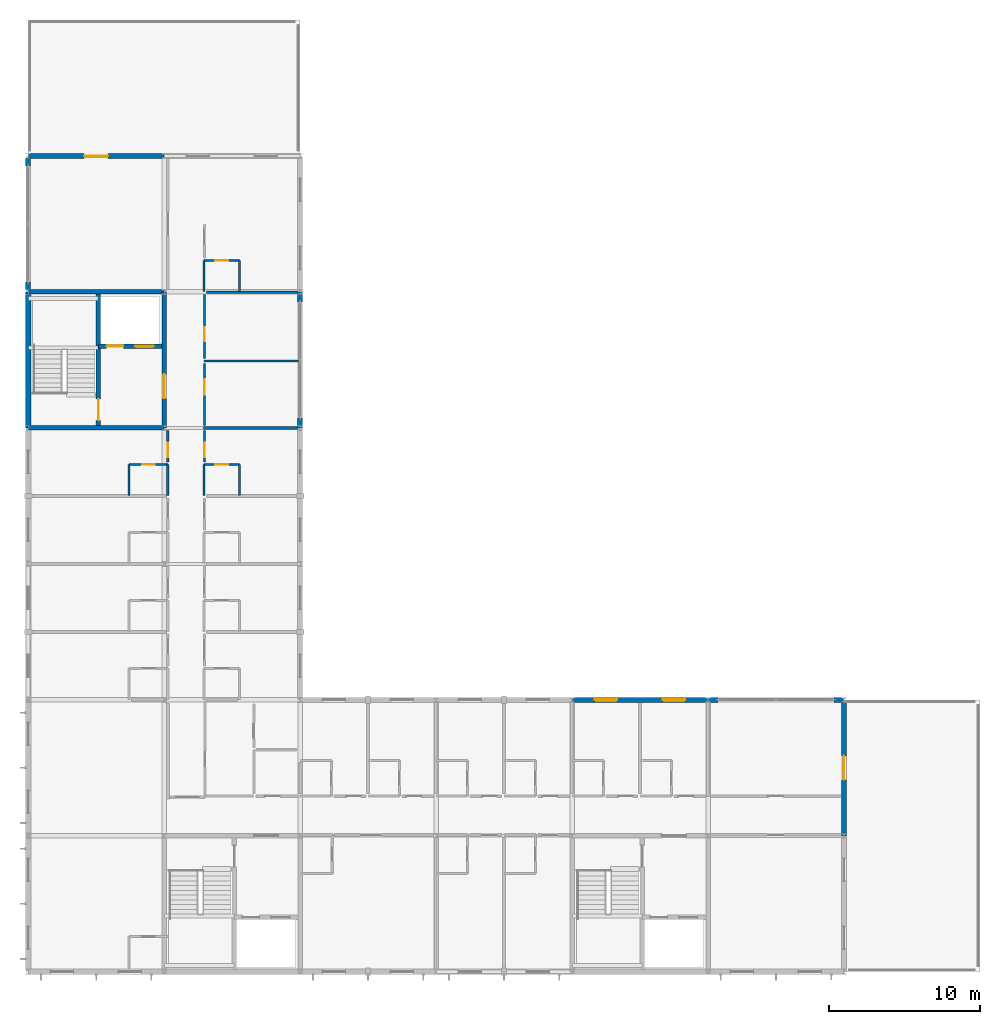
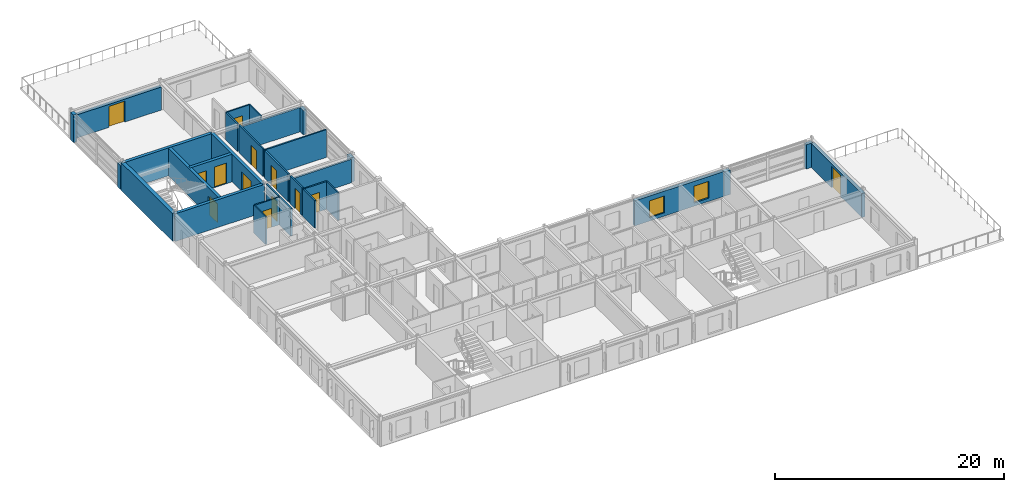
# One storey, part 13 of 18: 31 walls, 13 doors, 2 windows, 15 openings.
"""IFC4 building model written with IfcOpenShell, lengths in metres."""

from ifc_helpers import new_model, si_unit, direction, frame, frame_2d, origin, place, context, subcontext, project, spatial, rectangle, extrude, material, layer, layer_set, type_object, element, fill, save


model = new_model("IFC4")

# Units and contexts
model_context = context("Model", 3, precision=1e-05, world=origin(), true_north=direction((0.0, 1.0)))
body_context = subcontext(model_context, "Body", "Model", "MODEL_VIEW")
ifc_project = project(units=[si_unit("LENGTHUNIT", "METRE"), si_unit("AREAUNIT", "SQUARE_METRE"), si_unit("VOLUMEUNIT", "CUBIC_METRE"), si_unit("PLANEANGLEUNIT", "RADIAN"), si_unit("MASSUNIT", "GRAM", prefix="KILO")], contexts=[model_context])

# Site, building, storey
site_placement = place(None, origin())
site = spatial("IfcSite", under=ifc_project, at=site_placement, CompositionType="ELEMENT")
building_placement = place(site_placement, origin())
building = spatial("IfcBuilding", under=site, at=building_placement, Name="Palais des Congres Ocreval", CompositionType="ELEMENT")
storey_placement = place(building_placement, frame((0.0, 0.0, 23.679931640625)))
storey = spatial("IfcBuildingStorey", under=building, at=storey_placement, Name="L07", CompositionType="ELEMENT", Elevation=23.679931640625)

# Wall, opening, door
ifc_material_1 = material(Name="Moisture-resistant gypsum board")
ifc_layer_1 = layer(ifc_material_1, 0.139892578125)
ifc_layer_set_1 = layer_set([ifc_layer_1], Name="Bathroom Plumbing Chase Wall 140 Gypsum (Moisture-resistant gypsum board)")
wall_type_1 = type_object("IfcWallType", Name="Bathroom Plumbing Chase Wall 140 Gypsum", PredefinedType="PLUMBINGWALL", material=ifc_layer_set_1)
wall_1_placement = place(storey_placement, frame((6.679931640625, 33.580078125, 0.0), z_axis=(0.0, 0.0, 1.0), x_axis=(1.0, 0.0, 0.0)))
wall_1 = element("IfcWall", 1, at=wall_1_placement, inside=storey, type_object=wall_type_1, Name="Bathroom Plumbing Wall PW03 L07", PredefinedType="PLUMBINGWALL", context=body_context, shape_type="SweptSolid", body=[
    extrude(rectangle(XDim=2.56005859375, YDim=0.139892578125, at=frame_2d((1.280029296875, 0.0))), origin(), (0.0, 0.0, 1.0), 2.9599609375),
])
opening_1_placement = place(wall_1_placement, frame((0.85498046875, 0.0, 0.0)))
opening_1 = element("IfcOpeningElement", 2, at=opening_1_placement, cuts=wall_1, Name="Opening D08", PredefinedType="OPENING", context=body_context, shape_type="SweptSolid", body=[
    extrude(rectangle(XDim=0.85009765625, YDim=2.0400390625, at=frame_2d((0.425048828125, 1.02001953125))), frame((0.0, 0.079833984375, 0.0), z_axis=(0.0, -1.0, 0.0), x_axis=(1.0, 0.0, 0.0)), (0.0, 0.0, 1.0), 0.159912109375),
])
ifc_material_2 = material(Name="Solid French oak", Category="wood")
door_type_1 = type_object("IfcDoorType", Name="En-Suite Bathroom Door 850x2040", OperationType="NOTDEFINED", PredefinedType="DOOR", material=ifc_material_2)
door_1_placement = place(opening_1_placement, origin())
door_1 = element("IfcDoor", 3, at=door_1_placement, inside=storey, type_object=door_type_1, Name="En-Suite Bathroom Door D08 L07", OperationType="SINGLE_SWING_RIGHT", OverallHeight=2.0400390625, OverallWidth=0.85009765625, PredefinedType="DOOR", context=body_context, shape_type="SweptSolid", body=[
    extrude(rectangle(XDim=0.85009765625, YDim=2.0400390625, at=frame_2d((0.425048828125, 1.02001953125))), frame((0.0, 0.02490234375, 0.0), z_axis=(0.0, -1.0, 0.0), x_axis=(1.0, 0.0, 0.0)), (0.0, 0.0, 1.0), 0.050048828125),
])
fill(opening_1, door_1)

# Wall
wall_2_placement = place(storey_placement, frame((6.679931640625, 31.52001953125, 0.0), z_axis=(0.0, 0.0, 1.0), x_axis=(0.0, 1.0, 0.0)))
element("IfcWall", 4, at=wall_2_placement, inside=storey, type_object=wall_type_1, Name="Bathroom Plumbing Wall PW03 L07", PredefinedType="PLUMBINGWALL", context=body_context, shape_type="SweptSolid", body=[
    extrude(rectangle(XDim=2.06005859375, YDim=0.139892578125, at=frame_2d((1.030029296875, 0.0))), origin(), (0.0, 0.0, 1.0), 2.9599609375),
])

# Wall, opening, door
wall_3_placement = place(storey_placement, frame((11.639892578125, 33.580078125, 0.0), z_axis=(0.0, 0.0, 1.0), x_axis=(1.0, 0.0, 0.0)))
wall_3 = element("IfcWall", 5, at=wall_3_placement, inside=storey, type_object=wall_type_1, Name="Bathroom Plumbing Wall PW03 L07", PredefinedType="PLUMBINGWALL", context=body_context, shape_type="SweptSolid", body=[
    extrude(rectangle(XDim=2.360107421875, YDim=0.139892578125, at=frame_2d((1.18017578125, 0.0))), origin(), (0.0, 0.0, 1.0), 2.9599609375),
])
opening_2_placement = place(wall_3_placement, frame((0.7548828125, 0.0, 0.0)))
opening_2 = element("IfcOpeningElement", 6, at=opening_2_placement, cuts=wall_3, Name="Opening D08", PredefinedType="OPENING", context=body_context, shape_type="SweptSolid", body=[
    extrude(rectangle(XDim=0.85009765625, YDim=2.0400390625, at=frame_2d((0.425048828125, 1.02001953125))), frame((0.0, 0.079833984375, 0.0), z_axis=(0.0, -1.0, 0.0), x_axis=(1.0, 0.0, 0.0)), (0.0, 0.0, 1.0), 0.159912109375),
])
door_2_placement = place(opening_2_placement, origin())
door_2 = element("IfcDoor", 7, at=door_2_placement, inside=storey, type_object=door_type_1, Name="En-Suite Bathroom Door D08 L07", OperationType="SINGLE_SWING_RIGHT", OverallHeight=2.0400390625, OverallWidth=0.85009765625, PredefinedType="DOOR", context=body_context, shape_type="SweptSolid", body=[
    extrude(rectangle(XDim=0.85009765625, YDim=2.0400390625, at=frame_2d((0.425048828125, 1.02001953125))), frame((0.0, 0.02490234375, 0.0), z_axis=(0.0, -1.0, 0.0), x_axis=(1.0, 0.0, 0.0)), (0.0, 0.0, 1.0), 0.050048828125),
])
fill(opening_2, door_2)

# Wall
wall_4_placement = place(storey_placement, frame((14.0, 31.52001953125, 0.0), z_axis=(0.0, 0.0, 1.0), x_axis=(0.0, 1.0, 0.0)))
element("IfcWall", 8, at=wall_4_placement, inside=storey, type_object=wall_type_1, Name="Bathroom Plumbing Wall PW03 L07", PredefinedType="PLUMBINGWALL", context=body_context, shape_type="SweptSolid", body=[
    extrude(rectangle(XDim=2.06005859375, YDim=0.139892578125, at=frame_2d((1.030029296875, 0.0))), origin(), (0.0, 0.0, 1.0), 2.9599609375),
])

# Wall, opening, door
wall_5_placement = place(storey_placement, frame((11.639892578125, 47.080078125, 0.0), z_axis=(0.0, 0.0, 1.0), x_axis=(1.0, 0.0, 0.0)))
wall_5 = element("IfcWall", 9, at=wall_5_placement, inside=storey, type_object=wall_type_1, Name="Bathroom Plumbing Wall PW03 L07", PredefinedType="PLUMBINGWALL", context=body_context, shape_type="SweptSolid", body=[
    extrude(rectangle(XDim=2.360107421875, YDim=0.139892578125, at=frame_2d((1.18017578125, 0.0))), origin(), (0.0, 0.0, 1.0), 2.9599609375),
])
opening_3_placement = place(wall_5_placement, frame((0.7548828125, 0.0, 0.0)))
opening_3 = element("IfcOpeningElement", 10, at=opening_3_placement, cuts=wall_5, Name="Opening D08", PredefinedType="OPENING", context=body_context, shape_type="SweptSolid", body=[
    extrude(rectangle(XDim=0.85009765625, YDim=2.0400390625, at=frame_2d((0.425048828125, 1.02001953125))), frame((0.0, 0.079833984375, 0.0), z_axis=(0.0, -1.0, 0.0), x_axis=(1.0, 0.0, 0.0)), (0.0, 0.0, 1.0), 0.159912109375),
])
door_3_placement = place(opening_3_placement, origin())
door_3 = element("IfcDoor", 11, at=door_3_placement, inside=storey, type_object=door_type_1, Name="En-Suite Bathroom Door D08 L07", OperationType="SINGLE_SWING_LEFT", OverallHeight=2.0400390625, OverallWidth=0.85009765625, PredefinedType="DOOR", context=body_context, shape_type="SweptSolid", body=[
    extrude(rectangle(XDim=0.85009765625, YDim=2.0400390625, at=frame_2d((0.425048828125, 1.02001953125))), frame((0.0, 0.02490234375, 0.0), z_axis=(0.0, -1.0, 0.0), x_axis=(1.0, 0.0, 0.0)), (0.0, 0.0, 1.0), 0.050048828125),
])
fill(opening_3, door_3)

# Walls
wall_6_placement = place(storey_placement, frame((14.0, 45.02001953125, 0.0), z_axis=(0.0, 0.0, 1.0), x_axis=(0.0, 1.0, 0.0)))
element("IfcWall", 12, at=wall_6_placement, inside=storey, type_object=wall_type_1, Name="Bathroom Plumbing Wall PW03 L07", PredefinedType="PLUMBINGWALL", context=body_context, shape_type="SweptSolid", body=[
    extrude(rectangle(XDim=2.06005859375, YDim=0.139892578125, at=frame_2d((1.030029296875, 0.0))), origin(), (0.0, 0.0, 1.0), 2.9599609375),
])
wall_7_placement = place(storey_placement, frame((11.639892578125, 40.43505859375, 0.0), z_axis=(0.0, 0.0, 1.0), x_axis=(1.0, 0.0, 0.0)))
element("IfcWall", 13, at=wall_7_placement, inside=storey, type_object=wall_type_1, Name="Interior Partition PW03 L07", PredefinedType="PLUMBINGWALL", context=body_context, shape_type="SweptSolid", body=[
    extrude(rectangle(XDim=6.26513671875, YDim=0.139892578125, at=frame_2d((3.132568359375, 0.0))), origin(), (0.0, 0.0, 1.0), 2.9599609375),
])

# Wall, opening, door
wall_8_placement = place(storey_placement, frame((11.669921875, 40.590087890625, 0.0), z_axis=(0.0, 0.0, 1.0), x_axis=(0.0, 1.0, 0.0)))
wall_8 = element("IfcWall", 14, at=wall_8_placement, inside=storey, type_object=wall_type_1, Name="Interior Partition PW03 L07", PredefinedType="PLUMBINGWALL", context=body_context, shape_type="SweptSolid", body=[
    extrude(rectangle(XDim=4.22998046875, YDim=0.139892578125, at=frame_2d((2.114990234375, 0.0))), origin(), (0.0, 0.0, 1.0), 2.9599609375),
])
opening_4_placement = place(wall_8_placement, frame((1.157470703125, 0.0, 0.0)))
opening_4 = element("IfcOpeningElement", 15, at=opening_4_placement, cuts=wall_8, Name="Opening D09", PredefinedType="OPENING", context=body_context, shape_type="SweptSolid", body=[
    extrude(rectangle(XDim=0.89990234375, YDim=2.10009765625, at=frame_2d((0.449951171875, 1.050048828125))), frame((0.0, 0.079833984375, 0.0), z_axis=(0.0, -1.0, 0.0), x_axis=(1.0, 0.0, 0.0)), (0.0, 0.0, 1.0), 0.159912109375),
])
door_type_2 = type_object("IfcDoorType", Name="Accessible Restroom Door 900x2100", OperationType="NOTDEFINED", PredefinedType="DOOR", material=ifc_material_2)
door_4_placement = place(opening_4_placement, origin())
door_4 = element("IfcDoor", 16, at=door_4_placement, inside=storey, type_object=door_type_2, Name="Interior Door D09 L07", OperationType="SINGLE_SWING_LEFT", OverallHeight=2.10009765625, OverallWidth=0.89990234375, PredefinedType="DOOR", context=body_context, shape_type="SweptSolid", body=[
    extrude(rectangle(XDim=0.89990234375, YDim=2.10009765625, at=frame_2d((0.449951171875, 1.050048828125))), frame((0.0, 0.02490234375, 0.0), z_axis=(0.0, -1.0, 0.0), x_axis=(1.0, 0.0, 0.0)), (0.0, 0.0, 1.0), 0.050048828125),
])
fill(opening_4, door_4)

# Wall
ifc_material_3 = material(Name="Concrete C40/50", Category="concrete")
ifc_layer_2 = layer(ifc_material_3, 0.300048828125)
ifc_layer_set_2 = layer_set([ifc_layer_2], Name="Core Shear Wall 300 Concrete C40/50")
wall_type_2 = type_object("IfcWallType", Name="Core Shear Wall 300 Concrete C40/50", PredefinedType="SHEAR", material=ifc_layer_set_2)
wall_9_placement = place(storey_placement, frame((0.0, 36.0, 0.0), z_axis=(0.0, 0.0, 1.0), x_axis=(1.0, 0.0, 0.0)))
element("IfcWall", 17, at=wall_9_placement, inside=storey, type_object=wall_type_2, Name="Core Shear Wall SC03 L07 S", PredefinedType="SHEAR", context=body_context, shape_type="SweptSolid", body=[
    extrude(rectangle(XDim=9.0, YDim=0.300048828125, at=frame_2d((4.5, 0.0))), origin(), (0.0, 0.0, 1.0), 2.9599609375),
])

# Wall, opening, door
wall_10_placement = place(storey_placement, frame((9.0, 36.0, 0.0), z_axis=(0.0, 0.0, 1.0), x_axis=(0.0, 1.0, 0.0)))
wall_10 = element("IfcWall", 18, at=wall_10_placement, inside=storey, type_object=wall_type_2, Name="Core Shear Wall SC03 L07 E", PredefinedType="SHEAR", context=body_context, shape_type="SweptSolid", body=[
    extrude(rectangle(XDim=9.0, YDim=0.300048828125, at=frame_2d((4.5, 0.0))), origin(), (0.0, 0.0, 1.0), 2.9599609375),
])
opening_5_placement = place(wall_10_placement, frame((1.949951171875, 0.0, 0.0)))
opening_5 = element("IfcOpeningElement", 19, at=opening_5_placement, cuts=wall_10, Name="Opening D02", PredefinedType="OPENING", context=body_context, shape_type="SweptSolid", body=[
    extrude(rectangle(XDim=1.60009765625, YDim=2.10009765625, at=frame_2d((0.800048828125, 1.050048828125))), frame((0.0, 0.159912109375, 0.0), z_axis=(0.0, -1.0, 0.0), x_axis=(1.0, 0.0, 0.0)), (0.0, 0.0, 1.0), 0.320068359375),
])
ifc_material_4 = material(Name="Painted fire-rated steel", Category="steel")
door_type_3 = type_object("IfcDoorType", Name="Firefighting Lobby Rated Door 1600x2100", OperationType="NOTDEFINED", PredefinedType="DOOR", material=ifc_material_4)
door_5_placement = place(opening_5_placement, origin())
door_5 = element("IfcDoor", 20, at=door_5_placement, inside=storey, type_object=door_type_3, Name="Firefighting Lobby Entrance Door SC03 L07", OperationType="DOUBLE_DOOR_SINGLE_SWING", OverallHeight=2.10009765625, OverallWidth=1.60009765625, PredefinedType="DOOR", context=body_context, shape_type="SweptSolid", body=[
    extrude(rectangle(XDim=1.60009765625, YDim=2.10009765625, at=frame_2d((0.800048828125, 1.050048828125))), frame((0.0, 0.02490234375, 0.0), z_axis=(0.0, -1.0, 0.0), x_axis=(1.0, 0.0, 0.0)), (0.0, 0.0, 1.0), 0.050048828125),
])
fill(opening_5, door_5)

# Wall
wall_11_placement = place(storey_placement, frame((0.0, 45.0, 0.0), z_axis=(0.0, 0.0, 1.0), x_axis=(1.0, 0.0, 0.0)))
element("IfcWall", 21, at=wall_11_placement, inside=storey, type_object=wall_type_2, Name="Core Shear Wall SC03 L07 N", PredefinedType="SHEAR", context=body_context, shape_type="SweptSolid", body=[
    extrude(rectangle(XDim=9.0, YDim=0.300048828125, at=frame_2d((4.5, 0.0))), origin(), (0.0, 0.0, 1.0), 2.9599609375),
])

# Wall, opening, door
wall_12_placement = place(storey_placement, frame((4.64990234375, 36.14990234375, 0.0), z_axis=(0.0, 0.0, 1.0), x_axis=(0.0, 1.0, 0.0)))
wall_12 = element("IfcWall", 22, at=wall_12_placement, inside=storey, type_object=wall_type_2, Name="Core Spine Shear Wall SC03 L07", PredefinedType="SHEAR", context=body_context, shape_type="SweptSolid", body=[
    extrude(rectangle(XDim=8.7001953125, YDim=0.300048828125, at=frame_2d((4.35009765625, 0.0))), origin(), (0.0, 0.0, 1.0), 2.9599609375),
])
opening_6_placement = place(wall_12_placement, frame((0.35009765625, 0.0, 0.0)))
opening_6 = element("IfcOpeningElement", 23, at=opening_6_placement, cuts=wall_12, Name="Opening D03", PredefinedType="OPENING", context=body_context, shape_type="SweptSolid", body=[
    extrude(rectangle(XDim=1.39990234375, YDim=2.02001953125, at=frame_2d((0.699951171875, 1.010009765625))), frame((0.0, 0.159912109375, 0.0), z_axis=(0.0, -1.0, 0.0), x_axis=(1.0, 0.0, 0.0)), (0.0, 0.0, 1.0), 0.320068359375),
])
door_type_4 = type_object("IfcDoorType", Name="Core Lobby Rated Door 1400x2020", OperationType="NOTDEFINED", PredefinedType="DOOR", material=ifc_material_4)
door_6_placement = place(opening_6_placement, origin())
door_6 = element("IfcDoor", 24, at=door_6_placement, inside=storey, type_object=door_type_4, Name="Protected Exit Stair Door ST03 L07", OperationType="SINGLE_SWING_LEFT", OverallHeight=2.02001953125, OverallWidth=1.39990234375, PredefinedType="DOOR", context=body_context, shape_type="SweptSolid", body=[
    extrude(rectangle(XDim=1.39990234375, YDim=2.02001953125, at=frame_2d((0.699951171875, 1.010009765625))), frame((0.0, 0.02490234375, 0.0), z_axis=(0.0, -1.0, 0.0), x_axis=(1.0, 0.0, 0.0)), (0.0, 0.0, 1.0), 0.050048828125),
])
fill(opening_6, door_6)

# Wall, openings, doors
wall_13_placement = place(storey_placement, frame((4.64990234375, 41.39990234375, 0.0), z_axis=(0.0, 0.0, 1.0), x_axis=(1.0, 0.0, 0.0)))
wall_13 = element("IfcWall", 25, at=wall_13_placement, inside=storey, type_object=wall_type_2, Name="Lift Shaft Front Wall SC03 L07", PredefinedType="SHEAR", context=body_context, shape_type="SweptSolid", body=[
    extrude(rectangle(XDim=4.2001953125, YDim=0.300048828125, at=frame_2d((2.10009765625, 0.0))), origin(), (0.0, 0.0, 1.0), 2.9599609375),
])
opening_7_placement = place(wall_13_placement, frame((0.550048828125, 0.0, 0.0)))
opening_7 = element("IfcOpeningElement", 26, at=opening_7_placement, cuts=wall_13, Name="Opening LD01", PredefinedType="OPENING", context=body_context, shape_type="SweptSolid", body=[
    extrude(rectangle(XDim=1.10009765625, YDim=2.10009765625, at=frame_2d((0.550048828125, 1.050048828125))), frame((0.0, 0.159912109375, 0.0), z_axis=(0.0, -1.0, 0.0), x_axis=(1.0, 0.0, 0.0)), (0.0, 0.0, 1.0), 0.320068359375),
])
opening_8_placement = place(wall_13_placement, frame((2.449951171875, 0.0, 0.0)))
opening_8 = element("IfcOpeningElement", 27, at=opening_8_placement, cuts=wall_13, Name="Opening LD02", PredefinedType="OPENING", context=body_context, shape_type="SweptSolid", body=[
    extrude(rectangle(XDim=1.199951171875, YDim=2.199951171875, at=frame_2d((0.60009765625, 1.10009765625))), frame((0.0, 0.159912109375, 0.0), z_axis=(0.0, -1.0, 0.0), x_axis=(1.0, 0.0, 0.0)), (0.0, 0.0, 1.0), 0.320068359375),
])
ifc_material_5 = material(Name="Stainless steel", Category="steel")
door_type_5 = type_object("IfcDoorType", Name="Firefighting Lift Sliding Landing Door 1100x2100", OperationType="NOTDEFINED", PredefinedType="DOOR", material=ifc_material_5)
door_7_placement = place(opening_7_placement, origin())
door_7 = element("IfcDoor", 28, at=door_7_placement, inside=storey, type_object=door_type_5, Name="Lift Landing Sliding Door FF3 L07", OperationType="DOUBLE_DOOR_SLIDING", OverallHeight=2.10009765625, OverallWidth=1.10009765625, PredefinedType="DOOR", context=body_context, shape_type="SweptSolid", body=[
    extrude(rectangle(XDim=1.10009765625, YDim=2.10009765625, at=frame_2d((0.550048828125, 1.050048828125))), frame((0.0, 0.02490234375, 0.0), z_axis=(0.0, -1.0, 0.0), x_axis=(1.0, 0.0, 0.0)), (0.0, 0.0, 1.0), 0.050048828125),
])
fill(opening_7, door_7)
ifc_material_6 = material(Name="Anodized bronze steel", Category="steel")
door_type_6 = type_object("IfcDoorType", Name="Passenger and Service Lift Sliding Door 1200x2200", OperationType="NOTDEFINED", PredefinedType="DOOR", material=ifc_material_6)
door_8_placement = place(opening_8_placement, origin())
door_8 = element("IfcDoor", 29, at=door_8_placement, inside=storey, type_object=door_type_6, Name="Lift Landing Sliding Door PL3 L07", OperationType="DOUBLE_DOOR_SLIDING", OverallHeight=2.199951171875, OverallWidth=1.199951171875, PredefinedType="DOOR", context=body_context, shape_type="SweptSolid", body=[
    extrude(rectangle(XDim=1.199951171875, YDim=2.199951171875, at=frame_2d((0.60009765625, 1.10009765625))), frame((0.0, 0.02490234375, 0.0), z_axis=(0.0, -1.0, 0.0), x_axis=(1.0, 0.0, 0.0)), (0.0, 0.0, 1.0), 0.050048828125),
])
fill(opening_8, door_8)

# Walls
ifc_material_7 = material(Name="Gypsum acoustic partition")
ifc_layer_3 = layer(ifc_material_7, 0.159912109375)
ifc_layer_set_3 = layer_set([ifc_layer_3], Name="Corridor Fire Partition 160 Gypsum (Gypsum acoustic partition)")
wall_type_3 = type_object("IfcWallType", Name="Corridor Fire Partition 160 Gypsum", PredefinedType="PARTITIONING", material=ifc_layer_set_3)
for number, where, z_axis, x_axis, name in (
    (30, (9.239990234375, 31.52001953125, 0.0), (0.0, 0.0, 1.0), (0.0, 1.0, 0.0), "Corridor Partition IW03 L07"),
    (31, (11.639892578125, 31.52001953125, 0.0), (0.0, 0.0, 1.0), (0.0, 1.0, 0.0), "Corridor Partition IW03 L07"),
    (32, (11.639892578125, 45.02001953125, 0.0), (0.0, 0.0, 1.0), (0.0, 1.0, 0.0), "Corridor Partition IW03 L07"),
):
    element("IfcWall", number, at=place(storey_placement, frame(where, z_axis=z_axis, x_axis=x_axis)), inside=storey, type_object=wall_type_3, Name=name, PredefinedType="PARTITIONING", context=body_context, shape_type="SweptSolid", body=[
        extrude(rectangle(XDim=2.06005859375, YDim=0.159912109375, at=frame_2d((1.030029296875, 0.0))), origin(), (0.0, 0.0, 1.0), 2.9599609375),
    ])

# Wall, opening, door
wall_14_placement = place(storey_placement, frame((9.25, 33.735107421875, 0.0), z_axis=(0.0, 0.0, 1.0), x_axis=(0.0, 1.0, 0.0)))
wall_14 = element("IfcWall", 33, at=wall_14_placement, inside=storey, type_object=wall_type_3, Name="Interior Partition IW03 L07", PredefinedType="PARTITIONING", context=body_context, shape_type="SweptSolid", body=[
    extrude(rectangle(XDim=2.10986328125, YDim=0.159912109375, at=frame_2d((1.054931640625, 0.0))), origin(), (0.0, 0.0, 1.0), 2.9599609375),
])
opening_9_placement = place(wall_14_placement, frame((0.326904296875, 0.0, 0.0)))
opening_9 = element("IfcOpeningElement", 34, at=opening_9_placement, cuts=wall_14, Name="Opening D05", PredefinedType="OPENING", context=body_context, shape_type="SweptSolid", body=[
    extrude(rectangle(XDim=0.949951171875, YDim=2.14990234375, at=frame_2d((0.47509765625, 1.074951171875))), frame((0.0, 0.08984375, 0.0), z_axis=(0.0, -1.0, 0.0), x_axis=(1.0, 0.0, 0.0)), (0.0, 0.0, 1.0), 0.179931640625),
])
door_type_7 = type_object("IfcDoorType", Name="Hotel Guestroom Entrance Door 950x2150", OperationType="NOTDEFINED", PredefinedType="DOOR", material=ifc_material_2)
door_9_placement = place(opening_9_placement, origin())
door_9 = element("IfcDoor", 35, at=door_9_placement, inside=storey, type_object=door_type_7, Name="Interior Door D05 L07", OperationType="SINGLE_SWING_RIGHT", OverallHeight=2.14990234375, OverallWidth=0.949951171875, PredefinedType="DOOR", context=body_context, shape_type="SweptSolid", body=[
    extrude(rectangle(XDim=0.949951171875, YDim=2.14990234375, at=frame_2d((0.47509765625, 1.074951171875))), frame((0.0, 0.02490234375, 0.0), z_axis=(0.0, -1.0, 0.0), x_axis=(1.0, 0.0, 0.0)), (0.0, 0.0, 1.0), 0.050048828125),
])
fill(opening_9, door_9)

wall_15_placement = place(storey_placement, frame((11.669921875, 33.735107421875, 0.0), z_axis=(0.0, 0.0, 1.0), x_axis=(0.0, 1.0, 0.0)))
wall_15 = element("IfcWall", 36, at=wall_15_placement, inside=storey, type_object=wall_type_3, Name="Interior Partition IW03 L07", PredefinedType="PARTITIONING", context=body_context, shape_type="SweptSolid", body=[
    extrude(rectangle(XDim=2.10986328125, YDim=0.159912109375, at=frame_2d((1.054931640625, 0.0))), origin(), (0.0, 0.0, 1.0), 2.9599609375),
])
opening_10_placement = place(wall_15_placement, frame((0.326904296875, 0.0, 0.0)))
opening_10 = element("IfcOpeningElement", 37, at=opening_10_placement, cuts=wall_15, Name="Opening D05", PredefinedType="OPENING", context=body_context, shape_type="SweptSolid", body=[
    extrude(rectangle(XDim=0.949951171875, YDim=2.14990234375, at=frame_2d((0.47509765625, 1.074951171875))), frame((0.0, 0.08984375, 0.0), z_axis=(0.0, -1.0, 0.0), x_axis=(1.0, 0.0, 0.0)), (0.0, 0.0, 1.0), 0.179931640625),
])
door_10_placement = place(opening_10_placement, origin())
door_10 = element("IfcDoor", 38, at=door_10_placement, inside=storey, type_object=door_type_7, Name="Interior Door D05 L07", OperationType="SINGLE_SWING_RIGHT", OverallHeight=2.14990234375, OverallWidth=0.949951171875, PredefinedType="DOOR", context=body_context, shape_type="SweptSolid", body=[
    extrude(rectangle(XDim=0.949951171875, YDim=2.14990234375, at=frame_2d((0.47509765625, 1.074951171875))), frame((0.0, 0.02490234375, 0.0), z_axis=(0.0, -1.0, 0.0), x_axis=(1.0, 0.0, 0.0)), (0.0, 0.0, 1.0), 0.050048828125),
])
fill(opening_10, door_10)

wall_16_placement = place(storey_placement, frame((11.669921875, 36.155029296875, 0.0), z_axis=(0.0, 0.0, 1.0), x_axis=(0.0, 1.0, 0.0)))
wall_16 = element("IfcWall", 39, at=wall_16_placement, inside=storey, type_object=wall_type_3, Name="Interior Partition IW03 L07", PredefinedType="PARTITIONING", context=body_context, shape_type="SweptSolid", body=[
    extrude(rectangle(XDim=4.125, YDim=0.159912109375, at=frame_2d((2.0625, 0.0))), origin(), (0.0, 0.0, 1.0), 2.9599609375),
])
opening_11_placement = place(wall_16_placement, frame((2.0576171875, 0.0, 0.0)))
opening_11 = element("IfcOpeningElement", 40, at=opening_11_placement, cuts=wall_16, Name="Opening D10", PredefinedType="OPENING", context=body_context, shape_type="SweptSolid", body=[
    extrude(rectangle(XDim=1.0, YDim=2.10009765625, at=frame_2d((0.5, 1.050048828125))), frame((0.0, 0.08984375, 0.0), z_axis=(0.0, -1.0, 0.0), x_axis=(1.0, 0.0, 0.0)), (0.0, 0.0, 1.0), 0.179931640625),
])
ifc_material_8 = material(Name="Painted steel", Category="steel")
door_type_8 = type_object("IfcDoorType", Name="Service and Pantry Door 1000x2100", OperationType="NOTDEFINED", PredefinedType="DOOR", material=ifc_material_8)
door_11_placement = place(opening_11_placement, origin())
door_11 = element("IfcDoor", 41, at=door_11_placement, inside=storey, type_object=door_type_8, Name="Interior Door D10 L07", OperationType="SINGLE_SWING_RIGHT", OverallHeight=2.10009765625, OverallWidth=1.0, PredefinedType="DOOR", context=body_context, shape_type="SweptSolid", body=[
    extrude(rectangle(XDim=1.0, YDim=2.10009765625, at=frame_2d((0.5, 1.050048828125))), frame((0.0, 0.02490234375, 0.0), z_axis=(0.0, -1.0, 0.0), x_axis=(1.0, 0.0, 0.0)), (0.0, 0.0, 1.0), 0.050048828125),
])
fill(opening_11, door_11)

# Walls
ifc_layer_4 = layer(ifc_material_7, 0.179931640625)
ifc_layer_set_4 = layer_set([ifc_layer_4], Name="Hotel Inter-Room Acoustic Partition 180 Gypsum (Gypsum acoustic partition)")
wall_type_4 = type_object("IfcWallType", Name="Hotel Inter-Room Acoustic Partition 180 Gypsum", PredefinedType="PARTITIONING", material=ifc_layer_set_4)
wall_17_placement = place(storey_placement, frame((11.6201171875, 36.0, 0.0), z_axis=(0.0, 0.0, 1.0), x_axis=(1.0, 0.0, 0.0)))
element("IfcWall", 42, at=wall_17_placement, inside=storey, type_object=wall_type_4, Name="Hotel Party Partition IW02 L07", PredefinedType="PARTITIONING", context=body_context, shape_type="SweptSolid", body=[
    extrude(rectangle(XDim=6.204833984375, YDim=0.179931640625, at=frame_2d((3.1025390625, 0.0))), origin(), (0.0, 0.0, 1.0), 2.510009765625),
])
wall_18_placement = place(storey_placement, frame((11.794921875, 44.97509765625, 0.0), z_axis=(0.0, 0.0, 1.0), x_axis=(1.0, 0.0, 0.0)))
element("IfcWall", 43, at=wall_18_placement, inside=storey, type_object=wall_type_4, Name="Hotel Party Partition IW02 L07", PredefinedType="PARTITIONING", context=body_context, shape_type="SweptSolid", body=[
    extrude(rectangle(XDim=6.030029296875, YDim=0.179931640625, at=frame_2d((3.01513671875, 0.0))), origin(), (0.0, 0.0, 1.0), 2.60009765625),
])
ifc_layer_5 = layer(ifc_material_3, 0.3798828125)
ifc_layer_set_5 = layer_set([ifc_layer_5], Name="Lutetian Limestone Street Wall 380 Concrete C40/50")
wall_type_5 = type_object("IfcWallType", Name="Lutetian Limestone Street Wall 380 Concrete C40/50", PredefinedType="SOLIDWALL", material=ifc_layer_set_5)
wall_19_placement = place(storey_placement, frame((0.0, 36.0, 0.0), z_axis=(0.0, 0.0, 1.0), x_axis=(0.0, 1.0, 0.0)))
element("IfcWall", 44, at=wall_19_placement, inside=storey, type_object=wall_type_5, Name="Core Perimeter Shear Wall EW03 SC03 L07", PredefinedType="SOLIDWALL", context=body_context, shape_type="SweptSolid", body=[
    extrude(rectangle(XDim=9.0, YDim=0.3798828125, at=frame_2d((4.5, 0.0))), origin(), (0.0, 0.0, 1.0), 2.9599609375),
])

# Wall, opening, door
ifc_layer_6 = layer(ifc_material_3, 0.340087890625)
ifc_layer_set_6 = layer_set([ifc_layer_6], Name="Ochre Mineral-Lime Courtyard Wall 340 Concrete C40/50")
wall_type_6 = type_object("IfcWallType", Name="Ochre Mineral-Lime Courtyard Wall 340 Concrete C40/50", PredefinedType="SOLIDWALL", material=ifc_layer_set_6)
wall_20_placement = place(storey_placement, frame((54.0, 17.844970703125, 0.0), z_axis=(0.0, 0.0, 1.0), x_axis=(0.0, -1.0, 0.0)))
wall_20 = element("IfcWall", 45, at=wall_20_placement, inside=storey, type_object=wall_type_6, Name="Exterior Wall EW04 L07", PredefinedType="SOLIDWALL", context=body_context, shape_type="SweptSolid", body=[
    extrude(rectangle(XDim=8.844970703125, YDim=0.340087890625, at=frame_2d((4.42236328125, 0.0))), origin(), (0.0, 0.0, 1.0), 2.56005859375),
])
opening_12_placement = place(wall_20_placement, frame((3.544921875, 0.0, 0.0)))
opening_12 = element("IfcOpeningElement", 46, at=opening_12_placement, cuts=wall_20, Name="Opening TD02", PredefinedType="OPENING", context=body_context, shape_type="SweptSolid", body=[
    extrude(rectangle(XDim=1.60009765625, YDim=2.25, at=frame_2d((0.800048828125, 1.125))), frame((0.0, 0.179931640625, 0.0), z_axis=(0.0, -1.0, 0.0), x_axis=(1.0, 0.0, 0.0)), (0.0, 0.0, 1.0), 0.360107421875),
])
ifc_material_9 = material(Name="Anodized bronze aluminium and safety glass", Category="aluminium")
door_type_9 = type_object("IfcDoorType", Name="Suite Terrace French Door 1600x2250", OperationType="NOTDEFINED", PredefinedType="DOOR", material=ifc_material_9)
door_12_placement = place(opening_12_placement, origin())
door_12 = element("IfcDoor", 47, at=door_12_placement, inside=storey, type_object=door_type_9, Name="Terrace Access Door Executive Club East Terrace", OperationType="DOUBLE_DOOR_SINGLE_SWING", OverallHeight=2.25, OverallWidth=1.60009765625, PredefinedType="DOOR", context=body_context, shape_type="SweptSolid", body=[
    extrude(rectangle(XDim=1.60009765625, YDim=2.25, at=frame_2d((0.800048828125, 1.125))), frame((0.0, 0.02490234375, 0.0), z_axis=(0.0, -1.0, 0.0), x_axis=(1.0, 0.0, 0.0)), (0.0, 0.0, 1.0), 0.050048828125),
])
fill(opening_12, door_12)

# Walls
wall_21_placement = place(storey_placement, frame((0.0, 45.1298828125, 0.0), z_axis=(0.0, 0.0, 1.0), x_axis=(0.0, 1.0, 0.0)))
element("IfcWall", 48, at=wall_21_placement, inside=storey, type_object=wall_type_6, Name="Facade Pier EW04 L07", PredefinedType="SOLIDWALL", context=body_context, shape_type="SweptSolid", body=[
    extrude(rectangle(XDim=0.52001953125, YDim=0.340087890625, at=frame_2d((0.260009765625, 0.0))), origin(), (0.0, 0.0, 1.0), 2.56005859375),
])
wall_22_placement = place(storey_placement, frame((0.0, 53.35009765625, 0.0), z_axis=(0.0, 0.0, 1.0), x_axis=(0.0, 1.0, 0.0)))
element("IfcWall", 49, at=wall_22_placement, inside=storey, type_object=wall_type_6, Name="Facade Pier EW04 L07", PredefinedType="SOLIDWALL", context=body_context, shape_type="SweptSolid", body=[
    extrude(rectangle(XDim=0.494873046875, YDim=0.340087890625, at=frame_2d((0.24755859375, 0.0))), origin(), (0.0, 0.0, 1.0), 2.9599609375),
])

# Wall, opening, door
wall_23_placement = place(storey_placement, frame((0.0, 54.0, 0.0), z_axis=(0.0, 0.0, 1.0), x_axis=(1.0, 0.0, 0.0)))
wall_23 = element("IfcWall", 50, at=wall_23_placement, inside=storey, type_object=wall_type_6, Name="Exterior Wall EW04 L07", PredefinedType="SOLIDWALL", context=body_context, shape_type="SweptSolid", body=[
    extrude(rectangle(XDim=9.0, YDim=0.340087890625, at=frame_2d((4.5, 0.0))), origin(), (0.0, 0.0, 1.0), 2.4599609375),
])
opening_13_placement = place(wall_23_placement, frame((3.699951171875, 0.0, 0.0)))
opening_13 = element("IfcOpeningElement", 51, at=opening_13_placement, cuts=wall_23, Name="Opening TD02", PredefinedType="OPENING", context=body_context, shape_type="SweptSolid", body=[
    extrude(rectangle(XDim=1.60009765625, YDim=2.25, at=frame_2d((0.800048828125, 1.125))), frame((0.0, 0.179931640625, 0.0), z_axis=(0.0, -1.0, 0.0), x_axis=(1.0, 0.0, 0.0)), (0.0, 0.0, 1.0), 0.360107421875),
])
door_13_placement = place(opening_13_placement, origin())
door_13 = element("IfcDoor", 52, at=door_13_placement, inside=storey, type_object=door_type_9, Name="Terrace Access Door Diplomatic North Terrace", OperationType="DOUBLE_DOOR_SINGLE_SWING", OverallHeight=2.25, OverallWidth=1.60009765625, PredefinedType="DOOR", context=body_context, shape_type="SweptSolid", body=[
    extrude(rectangle(XDim=1.60009765625, YDim=2.25, at=frame_2d((0.800048828125, 1.125))), frame((0.0, 0.02490234375, 0.0), z_axis=(0.0, -1.0, 0.0), x_axis=(1.0, 0.0, 0.0)), (0.0, 0.0, 1.0), 0.050048828125),
])
fill(opening_13, door_13)

# Walls
for number, where, z_axis, x_axis, name in (
    (53, (18.0, 45.0, 0.0), (0.0, 0.0, 1.0), (0.0, -1.0, 0.0), "Facade Pier EW04 L07"),
    (54, (18.0, 36.64990234375, 0.0), (0.0, 0.0, 1.0), (0.0, -1.0, 0.0), "Facade Pier EW04 L07"),
):
    element("IfcWall", number, at=place(storey_placement, frame(where, z_axis=z_axis, x_axis=x_axis)), inside=storey, type_object=wall_type_6, Name=name, PredefinedType="SOLIDWALL", context=body_context, shape_type="SweptSolid", body=[
        extrude(rectangle(XDim=0.64990234375, YDim=0.340087890625, at=frame_2d((0.324951171875, 0.0))), origin(), (0.0, 0.0, 1.0), 2.60009765625),
    ])

# Wall, openings, windows
wall_24_placement = place(storey_placement, frame((36.0, 18.0, 0.0), z_axis=(0.0, 0.0, 1.0), x_axis=(1.0, 0.0, 0.0)))
wall_24 = element("IfcWall", 55, at=wall_24_placement, inside=storey, type_object=wall_type_6, Name="Exterior Wall EW04 L07", PredefinedType="SOLIDWALL", context=body_context, shape_type="SweptSolid", body=[
    extrude(rectangle(XDim=9.0, YDim=0.340087890625, at=frame_2d((4.5, 0.0))), origin(), (0.0, 0.0, 1.0), 2.66015625),
])
opening_14_placement = place(wall_24_placement, frame((1.5, 0.0, 0.35009765625)))
opening_14 = element("IfcOpeningElement", 56, at=opening_14_placement, cuts=wall_24, Name="Opening WN06", PredefinedType="OPENING", context=body_context, shape_type="SweptSolid", body=[
    extrude(rectangle(XDim=1.5, YDim=1.800048828125, at=frame_2d((0.75, 0.89990234375))), frame((0.0, 0.179931640625, 0.0), z_axis=(0.0, -1.0, 0.0), x_axis=(1.0, 0.0, 0.0)), (0.0, 0.0, 1.0), 0.360107421875),
])
opening_15_placement = place(wall_24_placement, frame((6.0, 0.0, 0.35009765625)))
opening_15 = element("IfcOpeningElement", 57, at=opening_15_placement, cuts=wall_24, Name="Opening WN06", PredefinedType="OPENING", context=body_context, shape_type="SweptSolid", body=[
    extrude(rectangle(XDim=1.5, YDim=1.800048828125, at=frame_2d((0.75, 0.89990234375))), frame((0.0, 0.179931640625, 0.0), z_axis=(0.0, -1.0, 0.0), x_axis=(1.0, 0.0, 0.0)), (0.0, 0.0, 1.0), 0.360107421875),
])
ifc_material_10 = material(Name="Anodized bronze aluminium and low-E glass", Category="glass")
window_type = type_object("IfcWindowType", Name="Upper Setback Window 1500x1800", PartitioningType="SINGLE_PANEL", PredefinedType="WINDOW", material=ifc_material_10)
window_1_placement = place(opening_14_placement, origin())
window_1 = element("IfcWindow", 58, at=window_1_placement, inside=storey, type_object=window_type, Name="Hotel Facade Window WN06", OverallHeight=1.800048828125, OverallWidth=1.5, PartitioningType="SINGLE_PANEL", PredefinedType="WINDOW", context=body_context, shape_type="SweptSolid", body=[
    extrude(rectangle(XDim=1.5, YDim=1.800048828125, at=frame_2d((0.75, 0.89990234375))), frame((0.0, 0.030029296875, 0.0), z_axis=(0.0, -1.0, 0.0), x_axis=(1.0, 0.0, 0.0)), (0.0, 0.0, 1.0), 0.06005859375),
])
fill(opening_14, window_1)
window_2_placement = place(opening_15_placement, origin())
window_2 = element("IfcWindow", 59, at=window_2_placement, inside=storey, type_object=window_type, Name="Hotel Facade Window WN06", OverallHeight=1.800048828125, OverallWidth=1.5, PartitioningType="SINGLE_PANEL", PredefinedType="WINDOW", context=body_context, shape_type="SweptSolid", body=[
    extrude(rectangle(XDim=1.5, YDim=1.800048828125, at=frame_2d((0.75, 0.89990234375))), frame((0.0, 0.030029296875, 0.0), z_axis=(0.0, -1.0, 0.0), x_axis=(1.0, 0.0, 0.0)), (0.0, 0.0, 1.0), 0.06005859375),
])
fill(opening_15, window_2)

# Walls
for number, where, z_axis, x_axis, name in (
    (60, (45.0, 18.0, 0.0), (0.0, 0.0, 1.0), (1.0, 0.0, 0.0), "Facade Pier EW04 L07"),
    (61, (53.35009765625, 18.0, 0.0), (0.0, 0.0, 1.0), (1.0, 0.0, 0.0), "Facade Pier EW04 L07"),
):
    element("IfcWall", number, at=place(storey_placement, frame(where, z_axis=z_axis, x_axis=x_axis)), inside=storey, type_object=wall_type_6, Name=name, PredefinedType="SOLIDWALL", context=body_context, shape_type="SweptSolid", body=[
        extrude(rectangle(XDim=0.64990234375, YDim=0.340087890625, at=frame_2d((0.324951171875, 0.0))), origin(), (0.0, 0.0, 1.0), 2.60009765625),
    ])

save(model, "model.ifc")
